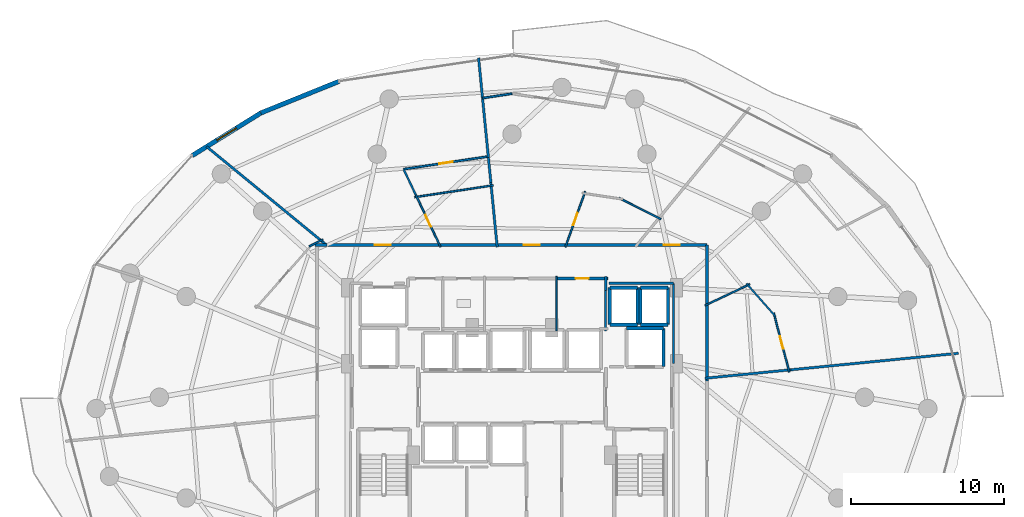
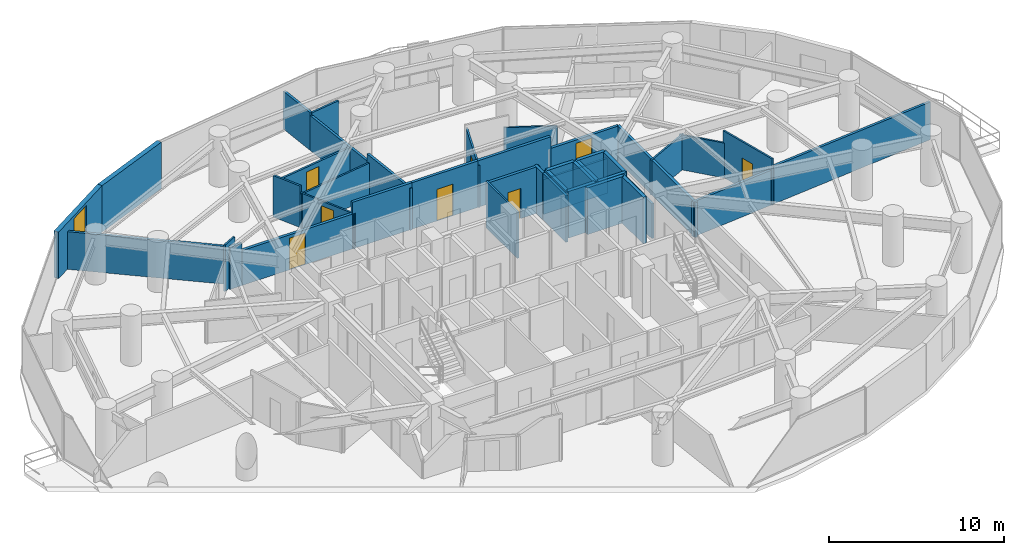
# One storey, part 29 of 33: 44 walls, 8 doors, 1 window, 9 openings.
"""IFC4 building model written with IfcOpenShell, lengths in metres."""

from ifc_helpers import new_model, si_unit, direction, frame, frame_2d, origin, place, context, subcontext, project, spatial, rectangle, extrude, material, layer, layer_set, type_object, element, fill, save


model = new_model("IFC4")

# Units and contexts
model_context = context("Model", 3, precision=1e-05, world=origin(), true_north=direction((0.0, 1.0)))
body_context = subcontext(model_context, "Body", "Model", "MODEL_VIEW")
ifc_project = project(units=[si_unit("LENGTHUNIT", "METRE"), si_unit("AREAUNIT", "SQUARE_METRE"), si_unit("VOLUMEUNIT", "CUBIC_METRE"), si_unit("PLANEANGLEUNIT", "RADIAN"), si_unit("MASSUNIT", "GRAM", prefix="KILO")], contexts=[model_context])

# Site, building, storey
site_placement = place(None, origin())
site = spatial("IfcSite", under=ifc_project, at=site_placement, CompositionType="ELEMENT")
building_placement = place(site_placement, origin())
building = spatial("IfcBuilding", under=site, at=building_placement, Name="Vorneva Point Tower", CompositionType="ELEMENT")
storey_placement = place(building_placement, frame((0.0, 0.0, 59.0)))
storey = spatial("IfcBuildingStorey", under=building, at=storey_placement, Name="L15", CompositionType="ELEMENT", Elevation=59.0)

# Walls
ifc_material_1 = material(Name="Concrete B60 (C50/60)", Category="concrete")
ifc_layer_1 = layer(ifc_material_1, 0.5)
ifc_layer_set_1 = layer_set([ifc_layer_1], Name="Concrete B60 (C50/60)")
wall_type_1 = type_object("IfcWallType", Name="WL-CORE-500", PredefinedType="SHEAR", material=ifc_layer_set_1)
wall_1_placement = place(storey_placement, frame((47.89990234375, 28.0, 0.0), z_axis=(0.0, 0.0, 1.0), x_axis=(0.0, 1.0, 0.0)))
element("IfcWall", 1, at=wall_1_placement, inside=storey, type_object=wall_type_1, Name="L15 Lift FFL2 Shaft Wall +X", PredefinedType="SHEAR", context=body_context, shape_type="SweptSolid", body=[
    extrude(rectangle(XDim=2.5, YDim=0.219970703125, at=frame_2d((1.25, 0.0))), origin(), (0.0, 0.0, 1.0), 3.239990234375),
])
wall_2_placement = place(storey_placement, frame((47.89990234375, 30.5, 0.0), z_axis=(0.0, 0.0, 1.0), x_axis=(-1.0, 0.0, 0.0)))
element("IfcWall", 2, at=wall_2_placement, inside=storey, type_object=wall_type_1, Name="L15 Lift FFL2 Shaft Wall +Y", PredefinedType="SHEAR", context=body_context, shape_type="SweptSolid", body=[
    extrude(rectangle(XDim=2.39990234375, YDim=0.219970703125, at=frame_2d((1.199951171875, 0.0))), origin(), (0.0, 0.0, 1.0), 3.239990234375),
])
ifc_material_2 = material(Name="Precast concrete B50 (C40/50)", Category="concrete")
ifc_layer_2 = layer(ifc_material_2, 0.300048828125)
ifc_layer_set_2 = layer_set([ifc_layer_2], Name="Precast concrete B50 (C40/50)")
wall_type_2 = type_object("IfcWallType", Name="WL-EXT-300", PredefinedType="STANDARD", material=ifc_layer_set_2)
wall_3_placement = place(storey_placement, frame((26.691650390625, 46.648681640625, 0.0), z_axis=(0.0, 0.0, 1.0), x_axis=(-0.927095325176, -0.374825636845, 0.0)))
element("IfcWall", 3, at=wall_3_placement, inside=storey, type_object=wall_type_2, Name="L15 Pale-Metal Facade Spandrel Wall 06.1", PredefinedType="STANDARD", context=body_context, shape_type="SweptSolid", body=[
    extrude(rectangle(XDim=5.51025390625, YDim=0.300048828125, at=frame_2d((2.755126953125, 0.0))), origin(), (0.0, 0.0, 1.0), 3.239990234375),
])

# Wall, opening, window
wall_4_placement = place(storey_placement, frame((21.5830078125, 44.583251953125, 0.0), z_axis=(0.0, 0.0, 1.0), x_axis=(-0.849633724826, -0.527373239404, 0.0)))
wall_4 = element("IfcWall", 4, at=wall_4_placement, inside=storey, type_object=wall_type_2, Name="L15 Pale-Metal Facade Spandrel Wall 06.2", PredefinedType="STANDARD", context=body_context, shape_type="SweptSolid", body=[
    extrude(rectangle(XDim=5.2705078125, YDim=0.300048828125, at=frame_2d((2.63525390625, 0.0))), origin(), (0.0, 0.0, 1.0), 3.239990234375),
])
opening_1_placement = place(wall_4_placement, frame((1.88525390625, 0.0, 0.85009765625)))
opening_1 = element("IfcOpeningElement", 5, at=opening_1_placement, cuts=wall_4, Name="Opening W-02", PredefinedType="OPENING", context=body_context, shape_type="SweptSolid", body=[
    extrude(rectangle(XDim=1.5, YDim=2.18994140625, at=frame_2d((0.75, 1.094970703125))), frame((0.0, 0.1650390625, 0.0), z_axis=(0.0, -1.0, 0.0), x_axis=(1.0, 0.0, 0.0)), (0.0, 0.0, 1.0), 0.329833984375),
])
ifc_material_3 = material(Name="Double low-e laminated glass IGU", Category="glass")
window_type = type_object("IfcWindowType", Name="WN-HTL-1500", PartitioningType="SINGLE_PANEL", PredefinedType="WINDOW", material=ifc_material_3)
window_placement = place(opening_1_placement, origin())
window = element("IfcWindow", 6, at=window_placement, inside=storey, type_object=window_type, Name="L15 Facade Window 06", OverallHeight=2.18994140625, OverallWidth=1.5, PartitioningType="SINGLE_PANEL", PredefinedType="WINDOW", context=body_context, shape_type="SweptSolid", body=[
    extrude(rectangle(XDim=1.5, YDim=2.18994140625, at=frame_2d((0.75, 1.094970703125))), frame((0.0, 0.030029296875, 0.0), z_axis=(0.0, -1.0, 0.0), x_axis=(1.0, 0.0, 0.0)), (0.0, 0.0, 1.0), 0.06005859375),
])
fill(opening_1, window)

# Walls
ifc_material_4 = material(Name="Fire-rated acoustic gypsum stud partition", Category="gypsum")
ifc_layer_3 = layer(ifc_material_4, 0.110107421875)
ifc_layer_set_3 = layer_set([ifc_layer_3], Name="Fire-rated acoustic gypsum stud partition")
wall_type_3 = type_object("IfcWallType", Name="WL-PART-110", PredefinedType="PARTITIONING", material=ifc_layer_set_3)
wall_5_placement = place(storey_placement, frame((40.89990234375, 30.340087890625, 0.0), z_axis=(0.0, 0.0, 1.0), x_axis=(0.0, 1.0, 0.0)))
element("IfcWall", 7, at=wall_5_placement, inside=storey, type_object=wall_type_3, Name="L15 Interior Partition 017", PredefinedType="PARTITIONING", context=body_context, shape_type="SweptSolid", body=[
    extrude(rectangle(XDim=3.559814453125, YDim=0.110107421875, at=frame_2d((1.77978515625, 0.0))), origin(), (0.0, 0.0, 1.0), 3.239990234375),
])
wall_6_placement = place(storey_placement, frame((50.62353515625, 32.0009765625, 0.0), z_axis=(0.0, 0.0, 1.0), x_axis=(0.903186785932, 0.429247748647, 0.0)))
element("IfcWall", 8, at=wall_6_placement, inside=storey, type_object=wall_type_3, Name="L15 Interior Partition 045", PredefinedType="PARTITIONING", context=body_context, shape_type="SweptSolid", body=[
    extrude(rectangle(XDim=3.23388671875, YDim=0.110107421875, at=frame_2d((1.616943359375, 0.0))), origin(), (0.0, 0.0, 1.0), 2.431884765625),
])
wall_7_placement = place(storey_placement, frame((53.3251953125, 33.433837890625, 0.0), z_axis=(0.0, 0.0, 1.0), x_axis=(0.661981720099, -0.749519981224, 0.0)))
element("IfcWall", 9, at=wall_7_placement, inside=storey, type_object=wall_type_3, Name="L15 Interior Partition 046", PredefinedType="PARTITIONING", context=body_context, shape_type="SweptSolid", body=[
    extrude(rectangle(XDim=2.89208984375, YDim=0.110107421875, at=frame_2d((1.446044921875, 0.0))), origin(), (0.0, 0.0, 1.0), 2.431884765625),
])

# Wall, opening, door
wall_8_placement = place(storey_placement, frame((55.111328125, 31.50634765625, 0.0), z_axis=(0.0, 0.0, 1.0), x_axis=(0.254405980461, -0.967097511684, 0.0)))
wall_8 = element("IfcWall", 10, at=wall_8_placement, inside=storey, type_object=wall_type_3, Name="L15 Interior Partition 047", PredefinedType="PARTITIONING", context=body_context, shape_type="SweptSolid", body=[
    extrude(rectangle(XDim=3.9912109375, YDim=0.110107421875, at=frame_2d((1.99560546875, 0.0))), origin(), (0.0, 0.0, 1.0), 3.239990234375),
])
opening_2_placement = place(wall_8_placement, frame((1.570556640625, 0.0, 0.0)))
opening_2 = element("IfcOpeningElement", 11, at=opening_2_placement, cuts=wall_8, Name="Opening ID-02", PredefinedType="OPENING", context=body_context, shape_type="SweptSolid", body=[
    extrude(rectangle(XDim=0.85009765625, YDim=2.10009765625, at=frame_2d((0.425048828125, 1.050048828125))), frame((0.0, 0.06982421875, 0.0), z_axis=(0.0, -1.0, 0.0), x_axis=(1.0, 0.0, 0.0)), (0.0, 0.0, 1.0), 0.139892578125),
])
ifc_material_5 = material(Name="Engineered oak fire-rated door leaf", Category="wood")
door_type_1 = type_object("IfcDoorType", Name="DR-BATH-850", OperationType="NOTDEFINED", PredefinedType="DOOR", material=ifc_material_5)
door_1_placement = place(opening_2_placement, origin())
door_1 = element("IfcDoor", 12, at=door_1_placement, inside=storey, type_object=door_type_1, Name="L15 Door Junior Suite L15-01 / En-Suite Bathroom L15-01", OperationType="SINGLE_SWING_LEFT", OverallHeight=2.10009765625, OverallWidth=0.85009765625, PredefinedType="DOOR", context=body_context, shape_type="SweptSolid", body=[
    extrude(rectangle(XDim=0.85009765625, YDim=2.10009765625, at=frame_2d((0.425048828125, 1.050048828125))), frame((0.0, 0.02490234375, 0.0), z_axis=(0.0, -1.0, 0.0), x_axis=(1.0, 0.0, 0.0)), (0.0, 0.0, 1.0), 0.050048828125),
])
fill(opening_2, door_1)

wall_9_placement = place(storey_placement, frame((41.4912109375, 35.818115234375, 0.0), z_axis=(0.0, 0.0, 1.0), x_axis=(0.33515815105, 0.942161883004, 0.0)))
wall_9 = element("IfcWall", 13, at=wall_9_placement, inside=storey, type_object=wall_type_3, Name="L15 Interior Partition 056", PredefinedType="PARTITIONING", context=body_context, shape_type="SweptSolid", body=[
    extrude(rectangle(XDim=3.85986328125, YDim=0.110107421875, at=frame_2d((1.929931640625, 0.0))), origin(), (0.0, 0.0, 1.0), 2.928955078125),
])
opening_3_placement = place(wall_9_placement, frame((1.5048828125, 0.0, 0.0)))
opening_3 = element("IfcOpeningElement", 14, at=opening_3_placement, cuts=wall_9, Name="Opening ID-02", PredefinedType="OPENING", context=body_context, shape_type="SweptSolid", body=[
    extrude(rectangle(XDim=0.85009765625, YDim=2.10009765625, at=frame_2d((0.425048828125, 1.050048828125))), frame((0.0, 0.06982421875, 0.0), z_axis=(0.0, -1.0, 0.0), x_axis=(1.0, 0.0, 0.0)), (0.0, 0.0, 1.0), 0.139892578125),
])
door_2_placement = place(opening_3_placement, origin())
door_2 = element("IfcDoor", 15, at=door_2_placement, inside=storey, type_object=door_type_1, Name="L15 Door Executive Suite L15-02 / En-Suite Bathroom L15-02", OperationType="SINGLE_SWING_LEFT", OverallHeight=2.10009765625, OverallWidth=0.85009765625, PredefinedType="DOOR", context=body_context, shape_type="SweptSolid", body=[
    extrude(rectangle(XDim=0.85009765625, YDim=2.10009765625, at=frame_2d((0.425048828125, 1.050048828125))), frame((0.0, 0.02490234375, 0.0), z_axis=(0.0, -1.0, 0.0), x_axis=(1.0, 0.0, 0.0)), (0.0, 0.0, 1.0), 0.050048828125),
])
fill(opening_3, door_2)

# Wall
wall_10_placement = place(storey_placement, frame((44.97802734375, 39.03125, 0.0), z_axis=(0.0, 0.0, 1.0), x_axis=(0.892423163915, -0.451199397725, 0.0)))
element("IfcWall", 16, at=wall_10_placement, inside=storey, type_object=wall_type_3, Name="L15 Interior Partition 058", PredefinedType="PARTITIONING", context=body_context, shape_type="SweptSolid", body=[
    extrude(rectangle(XDim=3.083740234375, YDim=0.110107421875, at=frame_2d((1.5419921875, 0.0))), origin(), (0.0, 0.0, 1.0), 2.431884765625),
])

# Wall, opening, door
wall_11_placement = place(storey_placement, frame((33.330078125, 35.823486328125, 0.0), z_axis=(0.0, 0.0, 1.0), x_axis=(-0.429339722165, 0.903143068938, 0.0)))
wall_11 = element("IfcWall", 17, at=wall_11_placement, inside=storey, type_object=wall_type_3, Name="L15 Interior Partition 067", PredefinedType="PARTITIONING", context=body_context, shape_type="SweptSolid", body=[
    extrude(rectangle(XDim=3.7666015625, YDim=0.110107421875, at=frame_2d((1.88330078125, 0.0))), origin(), (0.0, 0.0, 1.0), 2.431884765625),
])
opening_4_placement = place(wall_11_placement, frame((1.458251953125, 0.0, 0.0)))
opening_4 = element("IfcOpeningElement", 18, at=opening_4_placement, cuts=wall_11, Name="Opening ID-02", PredefinedType="OPENING", context=body_context, shape_type="SweptSolid", body=[
    extrude(rectangle(XDim=0.85009765625, YDim=2.10009765625, at=frame_2d((0.425048828125, 1.050048828125))), frame((0.0, 0.06982421875, 0.0), z_axis=(0.0, -1.0, 0.0), x_axis=(1.0, 0.0, 0.0)), (0.0, 0.0, 1.0), 0.139892578125),
])
door_3_placement = place(opening_4_placement, origin())
door_3 = element("IfcDoor", 19, at=door_3_placement, inside=storey, type_object=door_type_1, Name="L15 Door Corner Suite L15-03 / En-Suite Bathroom L15-03", OperationType="SINGLE_SWING_LEFT", OverallHeight=2.10009765625, OverallWidth=0.85009765625, PredefinedType="DOOR", context=body_context, shape_type="SweptSolid", body=[
    extrude(rectangle(XDim=0.85009765625, YDim=2.10009765625, at=frame_2d((0.425048828125, 1.050048828125))), frame((0.0, 0.02490234375, 0.0), z_axis=(0.0, -1.0, 0.0), x_axis=(1.0, 0.0, 0.0)), (0.0, 0.0, 1.0), 0.050048828125),
])
fill(opening_4, door_3)

# Walls
wall_12_placement = place(storey_placement, frame((36.7763671875, 39.851806640625, 0.0), z_axis=(0.0, 0.0, 1.0), x_axis=(-0.988868403521, -0.148792743496, 0.0)))
element("IfcWall", 20, at=wall_12_placement, inside=storey, type_object=wall_type_3, Name="L15 Interior Partition 071", PredefinedType="PARTITIONING", context=body_context, shape_type="SweptSolid", body=[
    extrude(rectangle(XDim=5.19970703125, YDim=0.110107421875, at=frame_2d((2.599853515625, 0.0))), origin(), (0.0, 0.0, 1.0), 2.431884765625),
])
wall_13_placement = place(storey_placement, frame((24.7509765625, 35.86181640625, 0.0), z_axis=(0.0, 0.0, 1.0), x_axis=(0.892702438486, 0.450646598037, 0.0)))
element("IfcWall", 21, at=wall_13_placement, inside=storey, type_object=wall_type_3, Name="L15 Interior Partition 074", PredefinedType="PARTITIONING", context=body_context, shape_type="SweptSolid", body=[
    extrude(rectangle(XDim=0.99462890625, YDim=0.110107421875, at=frame_2d((0.497314453125, 0.0))), origin(), (0.0, 0.0, 1.0), 3.239990234375),
])
ifc_layer_4 = layer(ifc_material_4, 0.125)
ifc_layer_set_4 = layer_set([ifc_layer_4], Name="Fire-rated acoustic gypsum stud partition")
wall_type_4 = type_object("IfcWallType", Name="WL-PART-125", PredefinedType="PARTITIONING", material=ifc_layer_set_4)
wall_14_placement = place(storey_placement, frame((38.0, 45.843994140625, 0.0), z_axis=(0.0, 0.0, 1.0), x_axis=(-0.988850683948, -0.148910459188, 0.0)))
element("IfcWall", 22, at=wall_14_placement, inside=storey, type_object=wall_type_4, Name="L15 Interior Partition 062", PredefinedType="PARTITIONING", context=body_context, shape_type="SweptSolid", body=[
    extrude(rectangle(XDim=1.94775390625, YDim=0.125, at=frame_2d((0.973876953125, 0.0))), origin(), (0.0, 0.0, 1.0), 2.6240234375),
])
wall_15_placement = place(storey_placement, frame((31.712890625, 39.225341796875, 0.0), z_axis=(0.0, 0.0, 1.0), x_axis=(-0.429281598359, 0.90317069777, 0.0)))
element("IfcWall", 23, at=wall_15_placement, inside=storey, type_object=wall_type_4, Name="L15 Interior Partition 068", PredefinedType="PARTITIONING", context=body_context, shape_type="SweptSolid", body=[
    extrude(rectangle(XDim=1.86083984375, YDim=0.125, at=frame_2d((0.930419921875, 0.0))), origin(), (0.0, 0.0, 1.0), 2.885986328125),
])

# Wall, opening, door
wall_16_placement = place(storey_placement, frame((30.9140625, 40.906005859375, 0.0), z_axis=(0.0, 0.0, 1.0), x_axis=(0.988867472121, 0.148798933401, 0.0)))
wall_16 = element("IfcWall", 24, at=wall_16_placement, inside=storey, type_object=wall_type_4, Name="L15 Interior Partition 069", PredefinedType="PARTITIONING", context=body_context, shape_type="SweptSolid", body=[
    extrude(rectangle(XDim=5.59814453125, YDim=0.125, at=frame_2d((2.799072265625, 0.0))), origin(), (0.0, 0.0, 1.0), 2.431884765625),
])
opening_5_placement = place(wall_16_placement, frame((2.34912109375, 0.0, 0.0)))
opening_5 = element("IfcOpeningElement", 25, at=opening_5_placement, cuts=wall_16, Name="Opening ID-01", PredefinedType="OPENING", context=body_context, shape_type="SweptSolid", body=[
    extrude(rectangle(XDim=0.89990234375, YDim=2.10009765625, at=frame_2d((0.449951171875, 1.050048828125))), frame((0.0, 0.077392578125, 0.0), z_axis=(0.0, -1.0, 0.0), x_axis=(1.0, 0.0, 0.0)), (0.0, 0.0, 1.0), 0.15478515625),
])
door_type_2 = type_object("IfcDoorType", Name="DR-ROOM-900", OperationType="NOTDEFINED", PredefinedType="DOOR", material=ifc_material_5)
door_4_placement = place(opening_5_placement, origin())
door_4 = element("IfcDoor", 26, at=door_4_placement, inside=storey, type_object=door_type_2, Name="L15 Door Corner Suite L15-03 / Suite Sitting Study L15-03", OperationType="SINGLE_SWING_RIGHT", OverallHeight=2.10009765625, OverallWidth=0.89990234375, PredefinedType="DOOR", context=body_context, shape_type="SweptSolid", body=[
    extrude(rectangle(XDim=0.89990234375, YDim=2.10009765625, at=frame_2d((0.449951171875, 1.050048828125))), frame((0.0, 0.02490234375, 0.0), z_axis=(0.0, -1.0, 0.0), x_axis=(1.0, 0.0, 0.0)), (0.0, 0.0, 1.0), 0.050048828125),
])
fill(opening_5, door_4)

# Walls
ifc_layer_5 = layer(ifc_material_4, 0.139892578125)
ifc_layer_set_5 = layer_set([ifc_layer_5], Name="Fire-rated acoustic gypsum stud partition")
wall_type_5 = type_object("IfcWallType", Name="WL-PART-140", PredefinedType="PARTITIONING", material=ifc_layer_set_5)
wall_17_placement = place(storey_placement, frame((44.1201171875, 30.340087890625, 0.0), z_axis=(0.0, 0.0, 1.0), x_axis=(0.0, 1.0, 0.0)))
element("IfcWall", 27, at=wall_17_placement, inside=storey, type_object=wall_type_5, Name="L15 Interior Closure Partition 101", PredefinedType="PARTITIONING", context=body_context, shape_type="SweptSolid", body=[
    extrude(rectangle(XDim=2.659912109375, YDim=0.139892578125, at=frame_2d((1.330078125, 0.0))), origin(), (0.0, 0.0, 1.0), 3.239990234375),
])
wall_18_placement = place(storey_placement, frame((44.340087890625, 33.449951171875, 0.0), z_axis=(0.0, 0.0, 1.0), x_axis=(1.0, 0.0, 0.0)))
element("IfcWall", 28, at=wall_18_placement, inside=storey, type_object=wall_type_5, Name="L15 Interior Closure Partition 104", PredefinedType="PARTITIONING", context=body_context, shape_type="SweptSolid", body=[
    extrude(rectangle(XDim=4.2099609375, YDim=0.139892578125, at=frame_2d((2.10498046875, 0.0))), origin(), (0.0, 0.0, 1.0), 2.431884765625),
])
wall_19_placement = place(storey_placement, frame((48.550048828125, 33.449951171875, 0.0), z_axis=(0.0, 0.0, 1.0), x_axis=(0.0, -1.0, 0.0)))
element("IfcWall", 29, at=wall_19_placement, inside=storey, type_object=wall_type_5, Name="L15 Interior Closure Partition 105", PredefinedType="PARTITIONING", context=body_context, shape_type="SweptSolid", body=[
    extrude(rectangle(XDim=5.25390625, YDim=0.139892578125, at=frame_2d((2.626953125, 0.0))), origin(), (0.0, 0.0, 1.0), 2.431884765625),
])
ifc_layer_6 = layer(ifc_material_4, 0.159912109375)
ifc_layer_set_6 = layer_set([ifc_layer_6], Name="Fire-rated acoustic gypsum stud partition")
wall_type_6 = type_object("IfcWallType", Name="WL-PART-160", PredefinedType="PARTITIONING", material=ifc_layer_set_6)
wall_20_placement = place(storey_placement, frame((56.091064453125, 27.781982421875, 0.0), z_axis=(0.0, 0.0, 1.0), x_axis=(0.995181539585, 0.098049493977, 0.0)))
element("IfcWall", 30, at=wall_20_placement, inside=storey, type_object=wall_type_6, Name="L15 Interior Partition 053", PredefinedType="PARTITIONING", context=body_context, shape_type="SweptSolid", body=[
    extrude(rectangle(XDim=11.1376953125, YDim=0.159912109375, at=frame_2d((5.56884765625, 0.0))), origin(), (0.0, 0.0, 1.0), 2.6240234375),
])
wall_21_placement = place(storey_placement, frame((50.610595703125, 27.2421875, 0.0), z_axis=(0.0, 0.0, 1.0), x_axis=(0.995185043486, 0.098013923607, 0.0)))
element("IfcWall", 31, at=wall_21_placement, inside=storey, type_object=wall_type_6, Name="L15 Interior Partition 054", PredefinedType="PARTITIONING", context=body_context, shape_type="SweptSolid", body=[
    extrude(rectangle(XDim=5.646728515625, YDim=0.159912109375, at=frame_2d((2.8232421875, 0.0))), origin(), (0.0, 0.0, 1.0), 2.431884765625),
])
wall_22_placement = place(storey_placement, frame((36.073974609375, 45.553955078125, 0.0), z_axis=(0.0, 0.0, 1.0), x_axis=(0.098125465648, -0.995174051607, 0.0)))
element("IfcWall", 32, at=wall_22_placement, inside=storey, type_object=wall_type_6, Name="L15 Interior Partition 063", PredefinedType="PARTITIONING", context=body_context, shape_type="SweptSolid", body=[
    extrude(rectangle(XDim=3.893798828125, YDim=0.159912109375, at=frame_2d((1.94677734375, 0.0))), origin(), (0.0, 0.0, 1.0), 2.431884765625),
])
wall_23_placement = place(storey_placement, frame((36.618408203125, 40.0302734375, 0.0), z_axis=(0.0, 0.0, 1.0), x_axis=(0.09794716995, -0.995191615669, 0.0)))
element("IfcWall", 33, at=wall_23_placement, inside=storey, type_object=wall_type_6, Name="L15 Interior Partition 064", PredefinedType="PARTITIONING", context=body_context, shape_type="SweptSolid", body=[
    extrude(rectangle(XDim=4.239990234375, YDim=0.159912109375, at=frame_2d((2.1201171875, 0.0))), origin(), (0.0, 0.0, 1.0), 2.928955078125),
])
wall_24_placement = place(storey_placement, frame((36.455810546875, 41.678955078125, 0.0), z_axis=(0.0, 0.0, 1.0), x_axis=(0.098146679276, -0.995171959687, 0.0)))
element("IfcWall", 34, at=wall_24_placement, inside=storey, type_object=wall_type_6, Name="L15 Interior Partition 065", PredefinedType="PARTITIONING", context=body_context, shape_type="SweptSolid", body=[
    extrude(rectangle(XDim=1.65673828125, YDim=0.159912109375, at=frame_2d((0.828369140625, 0.0))), origin(), (0.0, 0.0, 1.0), 2.431884765625),
])
wall_25_placement = place(storey_placement, frame((35.81494140625, 48.18701171875, 0.0), z_axis=(0.0, 0.0, 1.0), x_axis=(0.097904750383, -0.995195789708, 0.0)))
element("IfcWall", 35, at=wall_25_placement, inside=storey, type_object=wall_type_6, Name="L15 Interior Partition 066", PredefinedType="PARTITIONING", context=body_context, shape_type="SweptSolid", body=[
    extrude(rectangle(XDim=2.645751953125, YDim=0.159912109375, at=frame_2d((1.32275390625, 0.0))), origin(), (0.0, 0.0, 1.0), 2.6240234375),
])
wall_26_placement = place(storey_placement, frame((18.0400390625, 42.381103515625, 0.0), z_axis=(0.0, 0.0, 1.0), x_axis=(0.772992813725, -0.634414777515, 0.0)))
element("IfcWall", 36, at=wall_26_placement, inside=storey, type_object=wall_type_6, Name="L15 Interior Partition 070", PredefinedType="PARTITIONING", context=body_context, shape_type="SweptSolid", body=[
    extrude(rectangle(XDim=10.13720703125, YDim=0.159912109375, at=frame_2d((5.068603515625, 0.0))), origin(), (0.0, 0.0, 1.0), 2.6240234375),
])

# Wall, opening, door
ifc_material_6 = material(Name="Autoclaved aerated concrete blockwork", Category="masonry")
ifc_layer_7 = layer(ifc_material_6, 0.179931640625)
ifc_layer_set_7 = layer_set([ifc_layer_7], Name="Autoclaved aerated concrete blockwork")
wall_type_7 = type_object("IfcWallType", Name="WL-PART-180", PredefinedType="PARTITIONING", material=ifc_layer_set_7)
wall_27_placement = place(storey_placement, frame((44.260009765625, 33.760009765625, 0.0), z_axis=(0.0, 0.0, 1.0), x_axis=(-1.0, 0.0, 0.0)))
wall_27 = element("IfcWall", 37, at=wall_27_placement, inside=storey, type_object=wall_type_7, Name="L15 Interior Partition 019", PredefinedType="PARTITIONING", context=body_context, shape_type="SweptSolid", body=[
    extrude(rectangle(XDim=3.360107421875, YDim=0.179931640625, at=frame_2d((1.68017578125, 0.0))), origin(), (0.0, 0.0, 1.0), 3.239990234375),
])
opening_6_placement = place(wall_27_placement, frame((1.2548828125, 0.0, 0.0)))
opening_6 = element("IfcOpeningElement", 38, at=opening_6_placement, cuts=wall_27, Name="Opening ID-02", PredefinedType="OPENING", context=body_context, shape_type="SweptSolid", body=[
    extrude(rectangle(XDim=0.85009765625, YDim=2.10009765625, at=frame_2d((0.425048828125, 1.050048828125))), frame((0.0, 0.10498046875, 0.0), z_axis=(0.0, -1.0, 0.0), x_axis=(1.0, 0.0, 0.0)), (0.0, 0.0, 1.0), 0.209716796875),
])
door_5_placement = place(opening_6_placement, origin())
door_5 = element("IfcDoor", 39, at=door_5_placement, inside=storey, type_object=door_type_1, Name="L15 Door Accessible WC / L15 Circulation Corridor", OperationType="SINGLE_SWING_RIGHT", OverallHeight=2.10009765625, OverallWidth=0.85009765625, PredefinedType="DOOR", context=body_context, shape_type="SweptSolid", body=[
    extrude(rectangle(XDim=0.85009765625, YDim=2.10009765625, at=frame_2d((0.425048828125, 1.050048828125))), frame((0.0, 0.02490234375, 0.0), z_axis=(0.0, -1.0, 0.0), x_axis=(1.0, 0.0, 0.0)), (0.0, 0.0, 1.0), 0.050048828125),
])
fill(opening_6, door_5)

# Walls
wall_28_placement = place(storey_placement, frame((44.1201171875, 32.969970703125, 0.0), z_axis=(0.0, 0.0, 1.0), x_axis=(0.0, 1.0, 0.0)))
element("IfcWall", 40, at=wall_28_placement, inside=storey, type_object=wall_type_7, Name="L15 Interior Partition 020", PredefinedType="PARTITIONING", context=body_context, shape_type="SweptSolid", body=[
    extrude(rectangle(XDim=0.929931640625, YDim=0.179931640625, at=frame_2d((0.46484375, 0.0))), origin(), (0.0, 0.0, 1.0), 3.239990234375),
])
wall_29_placement = place(storey_placement, frame((50.75, 32.0009765625, 0.0), z_axis=(0.0, 0.0, 1.0), x_axis=(0.0, 1.0, 0.0)))
element("IfcWall", 41, at=wall_29_placement, inside=storey, type_object=wall_type_7, Name="L15 Interior Partition 024", PredefinedType="PARTITIONING", context=body_context, shape_type="SweptSolid", body=[
    extrude(rectangle(XDim=3.948974609375, YDim=0.179931640625, at=frame_2d((1.974609375, 0.0))), origin(), (0.0, 0.0, 1.0), 2.431884765625),
])

# Wall, opening, door
wall_30_placement = place(storey_placement, frame((50.75, 35.949951171875, 0.0), z_axis=(0.0, 0.0, 1.0), x_axis=(-1.0, 0.0, 0.0)))
wall_30 = element("IfcWall", 42, at=wall_30_placement, inside=storey, type_object=wall_type_7, Name="L15 Interior Partition 025", PredefinedType="PARTITIONING", context=body_context, shape_type="SweptSolid", body=[
    extrude(rectangle(XDim=4.64404296875, YDim=0.179931640625, at=frame_2d((2.322021484375, 0.0))), origin(), (0.0, 0.0, 1.0), 2.431884765625),
])
opening_7_placement = place(wall_30_placement, frame((1.797119140625, 0.0, 0.0)))
opening_7 = element("IfcOpeningElement", 43, at=opening_7_placement, cuts=wall_30, Name="Opening UD-02", PredefinedType="OPENING", context=body_context, shape_type="SweptSolid", body=[
    extrude(rectangle(XDim=1.050048828125, YDim=2.199951171875, at=frame_2d((0.52490234375, 1.10009765625))), frame((0.0, 0.10498046875, 0.0), z_axis=(0.0, -1.0, 0.0), x_axis=(1.0, 0.0, 0.0)), (0.0, 0.0, 1.0), 0.209716796875),
])
door_type_3 = type_object("IfcDoorType", Name="DR-SUITE-1050", OperationType="NOTDEFINED", PredefinedType="DOOR", material=ifc_material_5)
door_6_placement = place(opening_7_placement, origin())
door_6 = element("IfcDoor", 44, at=door_6_placement, inside=storey, type_object=door_type_3, Name="L15 Door L15 Circulation Corridor / Junior Suite L15-01", OperationType="SINGLE_SWING_LEFT", OverallHeight=2.199951171875, OverallWidth=1.050048828125, PredefinedType="DOOR", context=body_context, shape_type="SweptSolid", body=[
    extrude(rectangle(XDim=1.050048828125, YDim=2.199951171875, at=frame_2d((0.52490234375, 1.10009765625))), frame((0.0, 0.02490234375, 0.0), z_axis=(0.0, -1.0, 0.0), x_axis=(1.0, 0.0, 0.0)), (0.0, 0.0, 1.0), 0.050048828125),
])
fill(opening_7, door_6)

# Wall
wall_31_placement = place(storey_placement, frame((50.75, 27.055908203125, 0.0), z_axis=(0.0, 0.0, 1.0), x_axis=(0.0, 1.0, 0.0)))
element("IfcWall", 45, at=wall_31_placement, inside=storey, type_object=wall_type_7, Name="L15 Interior Partition 026", PredefinedType="PARTITIONING", context=body_context, shape_type="SweptSolid", body=[
    extrude(rectangle(XDim=5.085205078125, YDim=0.179931640625, at=frame_2d((2.54248046875, 0.0))), origin(), (0.0, 0.0, 1.0), 2.431884765625),
])

# Wall, opening, door
wall_32_placement = place(storey_placement, frame((41.60205078125, 35.949951171875, 0.0), z_axis=(0.0, 0.0, 1.0), x_axis=(-1.0, 0.0, 0.0)))
wall_32 = element("IfcWall", 46, at=wall_32_placement, inside=storey, type_object=wall_type_7, Name="L15 Interior Partition 027", PredefinedType="PARTITIONING", context=body_context, shape_type="SweptSolid", body=[
    extrude(rectangle(XDim=4.64208984375, YDim=0.179931640625, at=frame_2d((2.321044921875, 0.0))), origin(), (0.0, 0.0, 1.0), 3.239990234375),
])
opening_8_placement = place(wall_32_placement, frame((1.7958984375, 0.0, 0.0)))
opening_8 = element("IfcOpeningElement", 47, at=opening_8_placement, cuts=wall_32, Name="Opening UD-02", PredefinedType="OPENING", context=body_context, shape_type="SweptSolid", body=[
    extrude(rectangle(XDim=1.050048828125, YDim=2.199951171875, at=frame_2d((0.52490234375, 1.10009765625))), frame((0.0, 0.10498046875, 0.0), z_axis=(0.0, -1.0, 0.0), x_axis=(1.0, 0.0, 0.0)), (0.0, 0.0, 1.0), 0.209716796875),
])
door_7_placement = place(opening_8_placement, origin())
door_7 = element("IfcDoor", 48, at=door_7_placement, inside=storey, type_object=door_type_3, Name="L15 Door L15 Circulation Corridor / Executive Suite L15-02", OperationType="SINGLE_SWING_RIGHT", OverallHeight=2.199951171875, OverallWidth=1.050048828125, PredefinedType="DOOR", context=body_context, shape_type="SweptSolid", body=[
    extrude(rectangle(XDim=1.050048828125, YDim=2.199951171875, at=frame_2d((0.52490234375, 1.10009765625))), frame((0.0, 0.02490234375, 0.0), z_axis=(0.0, -1.0, 0.0), x_axis=(1.0, 0.0, 0.0)), (0.0, 0.0, 1.0), 0.050048828125),
])
fill(opening_8, door_7)

# Wall
wall_33_placement = place(storey_placement, frame((46.24609375, 35.949951171875, 0.0), z_axis=(0.0, 0.0, 1.0), x_axis=(-1.0, 0.0, 0.0)))
element("IfcWall", 49, at=wall_33_placement, inside=storey, type_object=wall_type_7, Name="L15 Interior Partition 028", PredefinedType="PARTITIONING", context=body_context, shape_type="SweptSolid", body=[
    extrude(rectangle(XDim=4.7841796875, YDim=0.179931640625, at=frame_2d((2.39208984375, 0.0))), origin(), (0.0, 0.0, 1.0), 3.239990234375),
])

# Wall, opening, door
wall_34_placement = place(storey_placement, frame((33.330078125, 35.949951171875, 0.0), z_axis=(0.0, 0.0, 1.0), x_axis=(-1.0, 0.0, 0.0)))
wall_34 = element("IfcWall", 50, at=wall_34_placement, inside=storey, type_object=wall_type_7, Name="L15 Interior Partition 029", PredefinedType="PARTITIONING", context=body_context, shape_type="SweptSolid", body=[
    extrude(rectangle(XDim=7.549072265625, YDim=0.179931640625, at=frame_2d((3.7744140625, 0.0))), origin(), (0.0, 0.0, 1.0), 2.431884765625),
])
opening_9_placement = place(wall_34_placement, frame((3.24951171875, 0.0, 0.0)))
opening_9 = element("IfcOpeningElement", 51, at=opening_9_placement, cuts=wall_34, Name="Opening UD-02", PredefinedType="OPENING", context=body_context, shape_type="SweptSolid", body=[
    extrude(rectangle(XDim=1.050048828125, YDim=2.199951171875, at=frame_2d((0.52490234375, 1.10009765625))), frame((0.0, 0.10498046875, 0.0), z_axis=(0.0, -1.0, 0.0), x_axis=(1.0, 0.0, 0.0)), (0.0, 0.0, 1.0), 0.209716796875),
])
door_8_placement = place(opening_9_placement, origin())
door_8 = element("IfcDoor", 52, at=door_8_placement, inside=storey, type_object=door_type_3, Name="L15 Door L15 Circulation Corridor / Corner Suite L15-03", OperationType="SINGLE_SWING_LEFT", OverallHeight=2.199951171875, OverallWidth=1.050048828125, PredefinedType="DOOR", context=body_context, shape_type="SweptSolid", body=[
    extrude(rectangle(XDim=1.050048828125, YDim=2.199951171875, at=frame_2d((0.52490234375, 1.10009765625))), frame((0.0, 0.02490234375, 0.0), z_axis=(0.0, -1.0, 0.0), x_axis=(1.0, 0.0, 0.0)), (0.0, 0.0, 1.0), 0.050048828125),
])
fill(opening_9, door_8)

# Walls
wall_35_placement = place(storey_placement, frame((37.10009765625, 35.949951171875, 0.0), z_axis=(0.0, 0.0, 1.0), x_axis=(-1.0, 0.0, 0.0)))
element("IfcWall", 53, at=wall_35_placement, inside=storey, type_object=wall_type_7, Name="L15 Interior Partition 030", PredefinedType="PARTITIONING", context=body_context, shape_type="SweptSolid", body=[
    extrude(rectangle(XDim=3.91015625, YDim=0.179931640625, at=frame_2d((1.955078125, 0.0))), origin(), (0.0, 0.0, 1.0), 3.239990234375),
])
wall_36_placement = place(storey_placement, frame((25.9208984375, 35.949951171875, 0.0), z_axis=(0.0, 0.0, 1.0), x_axis=(-1.0, 0.0, 0.0)))
element("IfcWall", 54, at=wall_36_placement, inside=storey, type_object=wall_type_7, Name="L15 Interior Partition 032", PredefinedType="PARTITIONING", context=body_context, shape_type="SweptSolid", body=[
    extrude(rectangle(XDim=0.810791015625, YDim=0.179931640625, at=frame_2d((0.4052734375, 0.0))), origin(), (0.0, 0.0, 1.0), 2.928955078125),
])
ifc_material_7 = material(Name="Concrete B50 (C40/50)", Category="concrete")
ifc_layer_8 = layer(ifc_material_7, 0.219970703125)
ifc_layer_set_8 = layer_set([ifc_layer_8], Name="Concrete B50 (C40/50)")
wall_type_8 = type_object("IfcWallType", Name="WL-SHFT-220", PredefinedType="SOLIDWALL", material=ifc_layer_set_8)
wall_37_placement = place(storey_placement, frame((44.39990234375, 30.739990234375, 0.0), z_axis=(0.0, 0.0, 1.0), x_axis=(1.0, 0.0, 0.0)))
element("IfcWall", 55, at=wall_37_placement, inside=storey, type_object=wall_type_8, Name="L15 Lift EX1 Shaft Wall -Y", PredefinedType="SOLIDWALL", context=body_context, shape_type="SweptSolid", body=[
    extrude(rectangle(XDim=1.800048828125, YDim=0.219970703125, at=frame_2d((0.89990234375, 0.0))), origin(), (0.0, 0.0, 1.0), 3.239990234375),
])
wall_38_placement = place(storey_placement, frame((46.199951171875, 30.739990234375, 0.0), z_axis=(0.0, 0.0, 1.0), x_axis=(0.0, 1.0, 0.0)))
element("IfcWall", 56, at=wall_38_placement, inside=storey, type_object=wall_type_8, Name="L15 Lift EX1 Shaft Wall +X", PredefinedType="SOLIDWALL", context=body_context, shape_type="SweptSolid", body=[
    extrude(rectangle(XDim=2.419921875, YDim=0.219970703125, at=frame_2d((1.2099609375, 0.0))), origin(), (0.0, 0.0, 1.0), 3.239990234375),
])
wall_39_placement = place(storey_placement, frame((46.199951171875, 33.159912109375, 0.0), z_axis=(0.0, 0.0, 1.0), x_axis=(-1.0, 0.0, 0.0)))
element("IfcWall", 57, at=wall_39_placement, inside=storey, type_object=wall_type_8, Name="L15 Lift EX1 Shaft Wall +Y", PredefinedType="SOLIDWALL", context=body_context, shape_type="SweptSolid", body=[
    extrude(rectangle(XDim=1.800048828125, YDim=0.219970703125, at=frame_2d((0.89990234375, 0.0))), origin(), (0.0, 0.0, 1.0), 3.239990234375),
])
wall_40_placement = place(storey_placement, frame((44.39990234375, 33.159912109375, 0.0), z_axis=(0.0, 0.0, 1.0), x_axis=(0.0, -1.0, 0.0)))
element("IfcWall", 58, at=wall_40_placement, inside=storey, type_object=wall_type_8, Name="L15 Lift EX1 Shaft Wall -X", PredefinedType="SOLIDWALL", context=body_context, shape_type="SweptSolid", body=[
    extrude(rectangle(XDim=2.419921875, YDim=0.219970703125, at=frame_2d((1.2099609375, 0.0))), origin(), (0.0, 0.0, 1.0), 3.239990234375),
])
wall_41_placement = place(storey_placement, frame((46.39990234375, 30.739990234375, 0.0), z_axis=(0.0, 0.0, 1.0), x_axis=(1.0, 0.0, 0.0)))
element("IfcWall", 59, at=wall_41_placement, inside=storey, type_object=wall_type_8, Name="L15 Lift EX2 Shaft Wall -Y", PredefinedType="SOLIDWALL", context=body_context, shape_type="SweptSolid", body=[
    extrude(rectangle(XDim=1.800048828125, YDim=0.219970703125, at=frame_2d((0.89990234375, 0.0))), origin(), (0.0, 0.0, 1.0), 3.239990234375),
])
wall_42_placement = place(storey_placement, frame((48.199951171875, 30.739990234375, 0.0), z_axis=(0.0, 0.0, 1.0), x_axis=(0.0, 1.0, 0.0)))
element("IfcWall", 60, at=wall_42_placement, inside=storey, type_object=wall_type_8, Name="L15 Lift EX2 Shaft Wall +X", PredefinedType="SOLIDWALL", context=body_context, shape_type="SweptSolid", body=[
    extrude(rectangle(XDim=2.419921875, YDim=0.219970703125, at=frame_2d((1.2099609375, 0.0))), origin(), (0.0, 0.0, 1.0), 3.239990234375),
])
wall_43_placement = place(storey_placement, frame((48.199951171875, 33.159912109375, 0.0), z_axis=(0.0, 0.0, 1.0), x_axis=(-1.0, 0.0, 0.0)))
element("IfcWall", 61, at=wall_43_placement, inside=storey, type_object=wall_type_8, Name="L15 Lift EX2 Shaft Wall +Y", PredefinedType="SOLIDWALL", context=body_context, shape_type="SweptSolid", body=[
    extrude(rectangle(XDim=1.800048828125, YDim=0.219970703125, at=frame_2d((0.89990234375, 0.0))), origin(), (0.0, 0.0, 1.0), 3.239990234375),
])
wall_44_placement = place(storey_placement, frame((46.39990234375, 33.159912109375, 0.0), z_axis=(0.0, 0.0, 1.0), x_axis=(0.0, -1.0, 0.0)))
element("IfcWall", 62, at=wall_44_placement, inside=storey, type_object=wall_type_8, Name="L15 Lift EX2 Shaft Wall -X", PredefinedType="SOLIDWALL", context=body_context, shape_type="SweptSolid", body=[
    extrude(rectangle(XDim=2.419921875, YDim=0.219970703125, at=frame_2d((1.2099609375, 0.0))), origin(), (0.0, 0.0, 1.0), 3.239990234375),
])

save(model, "model.ifc")
